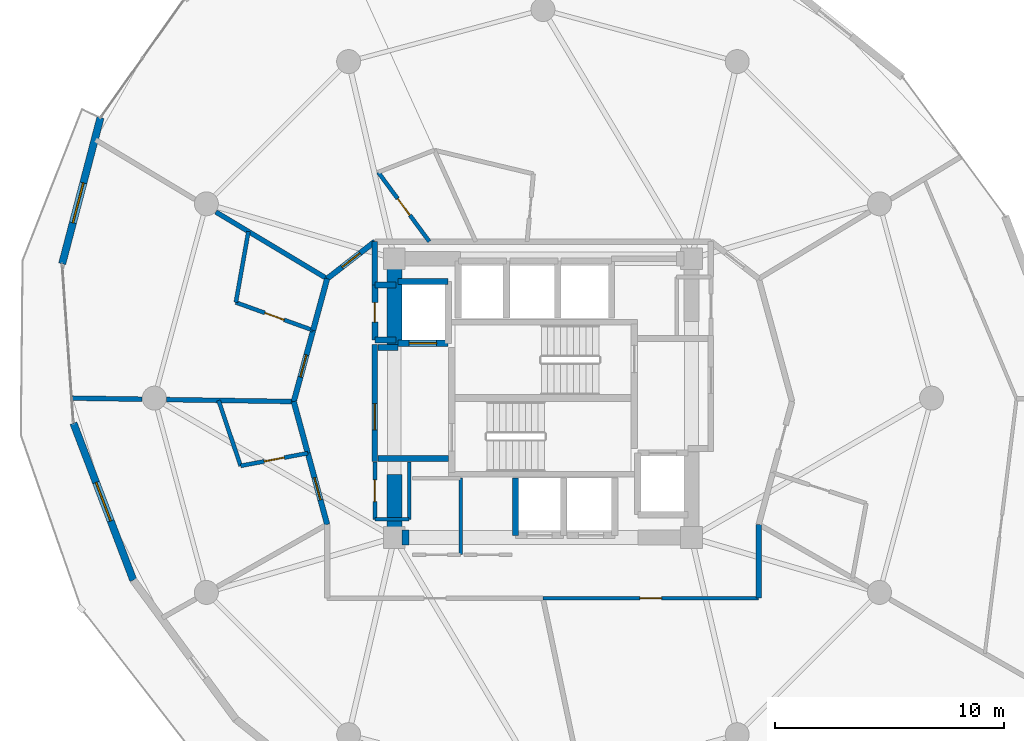
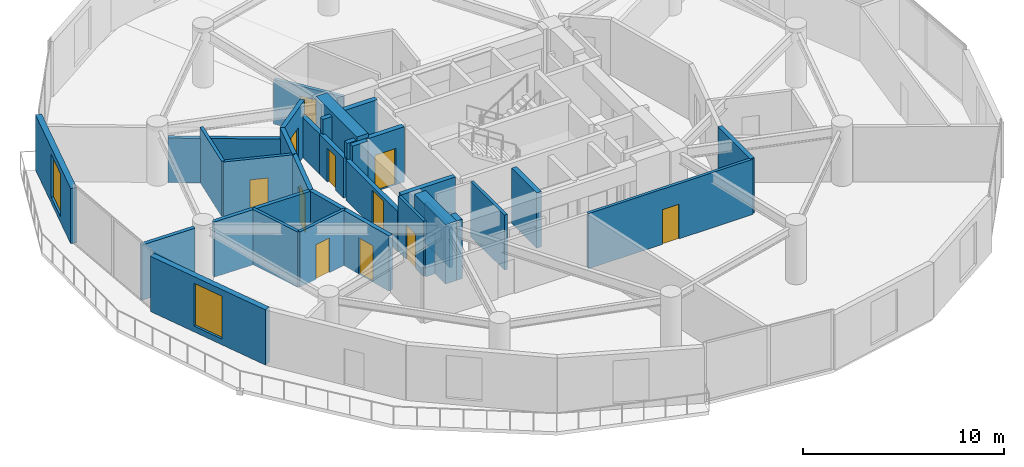
# One storey, part 18 of 22: 34 walls, 11 doors, 2 windows, 13 openings.
"""IFC4 building model written with IfcOpenShell, lengths in metres."""

import ifcopenshell
import ifcopenshell.guid

model = None  # the IFC model being written
_history = None  # IfcOwnerHistory: only IFC2X3 demands one
_inside = {}  # id of a spatial element -> (the spatial element, [elements in it])
_under = {}  # id of a project, library or spatial element -> (it, [spatial elements below it])
_declared = {}  # id of a project -> (the project, [libraries it declares])
_typed = {}  # id of a type object -> (the type object, [elements of that type])
_made_of = {}  # id of a material, layer set ... -> (it, [elements and type objects made of it])


def new_model(schema):
    """Start an empty IFC model of exactly this schema.

    Asked for "IFC4X3", IfcOpenShell would pick the latest addendum, in which some entities
    have other attributes; the version numbers below select the first issue.
    IFC2X3 requires an IfcOwnerHistory on every rooted entity: one is made here for all.
    """
    global model, _history
    if schema == "IFC4X3":
        model = ifcopenshell.file(schema_version=(4, 3, 0, 0))
    else:
        model = ifcopenshell.file(schema=schema)
    _inside.clear()
    _under.clear()
    _declared.clear()
    _typed.clear()
    _made_of.clear()
    _history = None
    if model.schema == "IFC2X3":
        org = make("IfcOrganization", Name="unknown")
        user = make(
            "IfcPersonAndOrganization",
            ThePerson=make("IfcPerson", FamilyName="unknown"),
            TheOrganization=org,
        )
        app = make(
            "IfcApplication",
            ApplicationDeveloper=org,
            Version="unknown",
            ApplicationFullName="unknown",
            ApplicationIdentifier="unknown",
        )
        _history = make(
            "IfcOwnerHistory",
            OwningUser=user,
            OwningApplication=app,
            ChangeAction="ADDED",
            CreationDate=0,
        )
    return model


def make(cls, **values):
    """One entity of the class cls with the attributes given. An attribute that is None is left unset."""
    return model.create_entity(
        cls, **{name: value for name, value in values.items() if value is not None}
    )


def rooted(cls, **values):
    """An entity with a GlobalId (a new one), such as an element, a storey or a relation."""
    return make(cls, GlobalId=ifcopenshell.guid.new(), OwnerHistory=_history, **values)


def si_unit(unit_type, name, prefix=None):
    """IfcSIUnit, for example si_unit("LENGTHUNIT", "METRE", prefix="MILLI")."""
    return make("IfcSIUnit", UnitType=unit_type, Prefix=prefix, Name=name)


def assignment(units):
    """IfcUnitAssignment: the units of a project."""
    return None if units is None else make("IfcUnitAssignment", Units=units)


def point(xyz):
    """IfcCartesianPoint."""
    return None if xyz is None else make("IfcCartesianPoint", Coordinates=xyz)


def direction(xyz):
    """IfcDirection."""
    return None if xyz is None else make("IfcDirection", DirectionRatios=xyz)


def frame(location, z_axis=None, x_axis=None):
    """IfcAxis2Placement3D, a coordinate frame: its origin and axes. An axis left out is left unset."""
    return make(
        "IfcAxis2Placement3D",
        Location=point(location),
        Axis=direction(z_axis),
        RefDirection=direction(x_axis),
    )


def frame_2d(location, x_axis=None):
    """IfcAxis2Placement2D, a coordinate frame in the plane: its origin and x axis."""
    return make(
        "IfcAxis2Placement2D", Location=point(location), RefDirection=direction(x_axis)
    )


def origin():
    """The frame at (0, 0, 0) with its axes left unset."""
    return frame((0.0, 0.0, 0.0))


def place(relative_to, where):
    """IfcLocalPlacement: puts the frame where relative to a parent placement (None: the world)."""
    return make(
        "IfcLocalPlacement", PlacementRelTo=relative_to, RelativePlacement=where
    )


def context(
    kind, dimensions, precision=None, world=None, true_north=None, identifier=None
):
    """IfcGeometricRepresentationContext, for example the 3D "Model" context."""
    return make(
        "IfcGeometricRepresentationContext",
        ContextIdentifier=identifier,
        ContextType=kind,
        CoordinateSpaceDimension=dimensions,
        Precision=precision,
        WorldCoordinateSystem=world,
        TrueNorth=true_north,
    )


def subcontext(parent, identifier, kind, view, scale=None):
    """IfcGeometricRepresentationSubContext, for example "Body" below "Model"."""
    return make(
        "IfcGeometricRepresentationSubContext",
        ContextIdentifier=identifier,
        ContextType=kind,
        ParentContext=parent,
        TargetScale=scale,
        TargetView=view,
    )


def project(units=None, contexts=None):
    """IfcProject with its units and contexts."""
    return rooted(
        "IfcProject",
        Name="project",
        RepresentationContexts=contexts,
        UnitsInContext=assignment(units),
    )


def spatial(cls, under=None, at=None, **own):
    """A site, building, storey or space (cls), placed at a placement, below another one or the project."""
    s = rooted(cls, ObjectPlacement=at, **own)
    if under is not None:
        _under.setdefault(under.id(), (under, []))[1].append(s)
    return s


def profile(cls, at=None, kind="AREA", **sizes):
    """A parametric profile (cls). Its sizes go by their IFC names, for example OverallWidth=200.0."""
    return make(cls, ProfileType=kind, Position=at, **sizes)


def rectangle(**sizes):
    """IfcRectangleProfileDef."""
    return profile("IfcRectangleProfileDef", **sizes)


def extrude(swept, where, along, depth):
    """IfcExtrudedAreaSolid: the profile swept, set in the frame where, extruded along a direction by depth."""
    return make(
        "IfcExtrudedAreaSolid",
        SweptArea=swept,
        Position=where,
        ExtrudedDirection=direction(along),
        Depth=depth,
    )


def shape(context_of_items, identifier, shape_type, items):
    """IfcShapeRepresentation: the items that make up one representation, for example the "Body"."""
    return make(
        "IfcShapeRepresentation",
        ContextOfItems=context_of_items,
        RepresentationIdentifier=identifier,
        RepresentationType=shape_type,
        Items=items,
    )


def material(Name=None, Category=None):
    """IfcMaterial."""
    return make("IfcMaterial", Name=Name, Category=Category)


def layer(
    of_material, thickness, ventilated=None, Name=None, Category=None, Priority=None
):
    """IfcMaterialLayer: one layer of a wall or slab, of a material (None: an air gap)."""
    return make(
        "IfcMaterialLayer",
        Material=of_material,
        LayerThickness=thickness,
        IsVentilated=ventilated,
        Name=Name,
        Category=Category,
        Priority=Priority,
    )


def layer_set(layers, Name=None):
    """IfcMaterialLayerSet."""
    return make("IfcMaterialLayerSet", MaterialLayers=layers, LayerSetName=Name)


def made_of(thing, what):
    """Note that an element or type object is made of a material, layer set ...; save() writes the relation."""
    if what is not None:
        _made_of.setdefault(what.id(), (what, []))[1].append(thing)
    return thing


def type_object(cls, material=None, **own):
    """A type object (cls), such as IfcWallType, which elements share."""
    return made_of(rooted(cls, **own), material)


def element(
    cls,
    number,
    at=None,
    inside=None,
    cuts=None,
    type_object=None,
    material=None,
    context=None,
    identifier="Body",
    shape_type=None,
    held_by="IfcProductDefinitionShape",
    body=None,
    shapes=None,
    **own,
):
    """One element of the class cls, such as IfcWall. Its Tag is "e" and its number.

    at: its placement. inside: the storey or other place that contains it. cuts: it is an
    opening in that element (IfcRelVoidsElement). A single representation is given by context,
    identifier, shape_type and body (its items); several are given by shapes. held_by: the class
    of the entity that holds the representations. save() writes the other relations.
    """
    e = rooted(cls, Tag="e%d" % number, ObjectPlacement=at, **own)
    if body is not None:
        shapes = [shape(context, identifier, shape_type, body)]
    if shapes is not None:
        e.Representation = make(held_by, Representations=shapes)
    if inside is not None:
        _inside.setdefault(inside.id(), (inside, []))[1].append(e)
    if cuts is not None:
        rooted(
            "IfcRelVoidsElement", RelatingBuildingElement=cuts, RelatedOpeningElement=e
        )
    if type_object is not None:
        _typed.setdefault(type_object.id(), (type_object, []))[1].append(e)
    return made_of(e, material)


def fill(opening, filler):
    """IfcRelFillsElement: the door or window that sits in an opening."""
    return rooted(
        "IfcRelFillsElement",
        RelatingOpeningElement=opening,
        RelatedBuildingElement=filler,
    )


def aggregate(whole, parts):
    """IfcRelAggregates: a whole, such as a stair, and the parts it consists of."""
    return rooted("IfcRelAggregates", RelatingObject=whole, RelatedObjects=parts)


def save(model, path):
    """Write the relations noted so far, then the file.

    IfcRelAggregates (storeys below a building ...), IfcRelContainedInSpatialStructure (elements
    in a storey), IfcRelDefinesByType, IfcRelAssociatesMaterial and IfcRelDeclares: one each for
    every whole, place, type object, material and project.
    """
    for whole, parts in _under.values():
        aggregate(whole, parts)
    for where, things in _inside.values():
        rooted(
            "IfcRelContainedInSpatialStructure",
            RelatedElements=things,
            RelatingStructure=where,
        )
    for kind, things in _typed.values():
        rooted("IfcRelDefinesByType", RelatedObjects=things, RelatingType=kind)
    for what, things in _made_of.values():
        rooted("IfcRelAssociatesMaterial", RelatedObjects=things, RelatingMaterial=what)
    for by, libraries in _declared.values():
        rooted("IfcRelDeclares", RelatingContext=by, RelatedDefinitions=libraries)
    model.write(path)


model = new_model("IFC4")

# Units and contexts
model_context = context("Model", 3, precision=1e-05, world=origin(), true_north=direction((0.0, 1.0)))
body_context = subcontext(model_context, "Body", "Model", "MODEL_VIEW")
ifc_project = project(units=[si_unit("LENGTHUNIT", "METRE"), si_unit("AREAUNIT", "SQUARE_METRE"), si_unit("VOLUMEUNIT", "CUBIC_METRE"), si_unit("PLANEANGLEUNIT", "RADIAN"), si_unit("MASSUNIT", "GRAM", prefix="KILO")], contexts=[model_context])

# Site, building, storey
site_placement = place(None, origin())
site = spatial("IfcSite", under=ifc_project, at=site_placement, CompositionType="ELEMENT")
building_placement = place(site_placement, origin())
building = spatial("IfcBuilding", under=site, at=building_placement, Name="Solvirekh Grand Hotel", CompositionType="ELEMENT")
storey_placement = place(building_placement, frame((0.0, 0.0, 149.39990234375)))
storey = spatial("IfcBuildingStorey", under=building, at=storey_placement, Name="L38", CompositionType="ELEMENT", Elevation=149.39990234375)

# Wall
ifc_material_1 = material(Name="Concrete C40/50", Category="concrete")
ifc_layer_1 = layer(ifc_material_1, 0.280029296875)
ifc_layer_set_1 = layer_set([ifc_layer_1], Name="Concrete C40/50")
wall_type_1 = type_object("IfcWallType", Name="CoreShaftWall_RC280", PredefinedType="SOLIDWALL", material=ifc_layer_set_1)
wall_1_placement = place(storey_placement, frame((-1.199951171875, -3.5, 0.0), z_axis=(0.0, 0.0, 1.0), x_axis=(0.0, -1.0, 0.0)))
element("IfcWall", 1, at=wall_1_placement, inside=storey, type_object=wall_type_1, Name="L38 MP-1 hoistway W wall", PredefinedType="SOLIDWALL", context=body_context, shape_type="SweptSolid", body=[
    extrude(rectangle(XDim=2.5, YDim=0.280029296875, at=frame_2d((1.25, 0.0))), origin(), (0.0, 0.0, 1.0), 3.35009765625),
])

# Wall, opening, door
wall_2_placement = place(storey_placement, frame((-6.35009765625, 2.39990234375, 0.0), z_axis=(0.0, 0.0, 1.0), x_axis=(1.0, 0.0, 0.0)))
wall_2 = element("IfcWall", 2, at=wall_2_placement, inside=storey, type_object=wall_type_1, Name="L38 FL-1 hoistway S wall", PredefinedType="SOLIDWALL", context=body_context, shape_type="SweptSolid", body=[
    extrude(rectangle(XDim=2.2001953125, YDim=0.280029296875, at=frame_2d((1.10009765625, 0.0))), origin(), (0.0, 0.0, 1.0), 3.35009765625),
])
opening_1_placement = place(wall_2_placement, frame((0.5, 0.0, 0.0)))
opening_1 = element("IfcOpeningElement", 3, at=opening_1_placement, cuts=wall_2, Name="Opening LD02", PredefinedType="OPENING", context=body_context, shape_type="SweptSolid", body=[
    extrude(rectangle(XDim=1.199951171875, YDim=2.199951171875, at=frame_2d((0.60009765625, 1.10009765625))), frame((0.0, 0.14990234375, 0.0), z_axis=(0.0, -1.0, 0.0), x_axis=(1.0, 0.0, 0.0)), (0.0, 0.0, 1.0), 0.300048828125),
])
ifc_material_2 = material(Name="Fire-Rated Steel Door Assembly", Category="steel")
door_type_1 = type_object("IfcDoorType", Name="Door_LiftFF_1200X2200", OperationType="SLIDING_TO_LEFT", PredefinedType="DOOR", material=ifc_material_2)
door_1_placement = place(opening_1_placement, origin())
door_1 = element("IfcDoor", 4, at=door_1_placement, inside=storey, type_object=door_type_1, Name="L38 FL-1 sliding lift landing door", OperationType="SLIDING_TO_LEFT", OverallHeight=2.199951171875, OverallWidth=1.199951171875, PredefinedType="DOOR", context=body_context, shape_type="SweptSolid", body=[
    extrude(rectangle(XDim=1.199951171875, YDim=2.199951171875, at=frame_2d((0.60009765625, 1.10009765625))), frame((0.0, 0.02490234375, 0.0), z_axis=(0.0, -1.0, 0.0), x_axis=(1.0, 0.0, 0.0)), (0.0, 0.0, 1.0), 0.050048828125),
])
fill(opening_1, door_1)

# Walls
wall_3_placement = place(storey_placement, frame((-4.14990234375, 5.10009765625, 0.0), z_axis=(0.0, 0.0, 1.0), x_axis=(-1.0, 0.0, 0.0)))
element("IfcWall", 5, at=wall_3_placement, inside=storey, type_object=wall_type_1, Name="L38 FL-1 hoistway N wall", PredefinedType="SOLIDWALL", context=body_context, shape_type="SweptSolid", body=[
    extrude(rectangle(XDim=2.2001953125, YDim=0.280029296875, at=frame_2d((1.10009765625, 0.0))), origin(), (0.0, 0.0, 1.0), 3.35009765625),
])
ifc_material_3 = material(Name="Concrete C50/60", Category="concrete")
ifc_layer_2 = layer(ifc_material_3, 0.64990234375)
ifc_layer_set_2 = layer_set([ifc_layer_2], Name="Concrete C50/60")
wall_type_2 = type_object("IfcWallType", Name="CoreWall_RC650", PredefinedType="SHEAR", material=ifc_layer_set_2)
wall_4_placement = place(storey_placement, frame((-6.175048828125, -6.10009765625, 0.0), z_axis=(0.0, 0.0, 1.0), x_axis=(1.0, 0.0, 0.0)))
element("IfcWall", 6, at=wall_4_placement, inside=storey, type_object=wall_type_2, Name="L38 core corner shear wall SW-S", PredefinedType="SHEAR", context=body_context, shape_type="SweptSolid", body=[
    extrude(rectangle(XDim=0.324951171875, YDim=0.64990234375, at=frame_2d((0.16259765625, 0.0))), origin(), (0.0, 0.0, 1.0), 3.60009765625),
])
wall_5_placement = place(storey_placement, frame((-6.5, 2.35009765625, 0.0), z_axis=(0.0, 0.0, 1.0), x_axis=(0.0, 1.0, 0.0)))
element("IfcWall", 7, at=wall_5_placement, inside=storey, type_object=wall_type_2, Name="L38 core corner shear wall WN-W", PredefinedType="SHEAR", context=body_context, shape_type="SweptSolid", body=[
    extrude(rectangle(XDim=4.074951171875, YDim=0.64990234375, at=frame_2d((2.03759765625, 0.0))), origin(), (0.0, 0.0, 1.0), 3.60009765625),
])
wall_6_placement = place(storey_placement, frame((-6.5, -6.425048828125, 0.0), z_axis=(0.0, 0.0, 1.0), x_axis=(0.0, 1.0, 0.0)))
element("IfcWall", 8, at=wall_6_placement, inside=storey, type_object=wall_type_2, Name="L38 core corner shear wall WS-W", PredefinedType="SHEAR", context=body_context, shape_type="SweptSolid", body=[
    extrude(rectangle(XDim=3.074951171875, YDim=0.64990234375, at=frame_2d((1.53759765625, 0.0))), origin(), (0.0, 0.0, 1.0), 3.60009765625),
])

# Wall, opening, window
ifc_material_4 = material(Name="Precast concrete C45/55", Category="concrete")
ifc_layer_3 = layer(ifc_material_4, 0.320068359375)
ifc_layer_set_3 = layer_set([ifc_layer_3], Name="Precast concrete C45/55")
wall_type_3 = type_object("IfcWallType", Name="ExtLobbyWall_RC320", PredefinedType="SOLIDWALL", material=ifc_layer_set_3)
wall_7_placement = place(storey_placement, frame((-21.031982421875, 5.875, 0.0), z_axis=(0.0, 0.0, 1.0), x_axis=(0.253586412891, 0.967312737018, 0.0)))
wall_7 = element("IfcWall", 9, at=wall_7_placement, inside=storey, type_object=wall_type_3, Name="L38 exterior structural wall chord 12", PredefinedType="SOLIDWALL", context=body_context, shape_type="SweptSolid", body=[
    extrude(rectangle(XDim=6.613037109375, YDim=0.320068359375, at=frame_2d((3.306640625, 0.0))), origin(), (0.0, 0.0, 1.0), 3.35009765625),
])
opening_2_placement = place(wall_7_placement, frame((1.85888671875, 0.0, 0.35009765625)))
opening_2 = element("IfcOpeningElement", 10, at=opening_2_placement, cuts=wall_7, Name="Opening W02", PredefinedType="OPENING", context=body_context, shape_type="SweptSolid", body=[
    extrude(rectangle(XDim=1.800048828125, YDim=2.60009765625, at=frame_2d((0.89990234375, 1.300048828125))), frame((0.0, 0.169921875, 0.0), z_axis=(0.0, -1.0, 0.0), x_axis=(1.0, 0.0, 0.0)), (0.0, 0.0, 1.0), 0.340087890625),
])
ifc_material_5 = material(Name="Low-E Tinted Bronze Laminated Glass", Category="aluminium")
window_type = type_object("IfcWindowType", Name="Win_LobbyExt_1800X2600", PartitioningType="SINGLE_PANEL", PredefinedType="WINDOW", material=ifc_material_5)
window_1_placement = place(opening_2_placement, origin())
window_1 = element("IfcWindow", 11, at=window_1_placement, inside=storey, type_object=window_type, Name="L38 panoramic bronze-framed window 12", OverallHeight=2.60009765625, OverallWidth=1.800048828125, PartitioningType="SINGLE_PANEL", PredefinedType="WINDOW", context=body_context, shape_type="SweptSolid", body=[
    extrude(rectangle(XDim=1.800048828125, YDim=2.60009765625, at=frame_2d((0.89990234375, 1.300048828125))), frame((0.0, 0.030029296875, 0.0), z_axis=(0.0, -1.0, 0.0), x_axis=(1.0, 0.0, 0.0)), (0.0, 0.0, 1.0), 0.06005859375),
])
fill(opening_2, window_1)

wall_8_placement = place(storey_placement, frame((-17.919921875, -7.9609375, 0.0), z_axis=(0.0, 0.0, 1.0), x_axis=(-0.356387771418, 0.93433813814, 0.0)))
wall_8 = element("IfcWall", 12, at=wall_8_placement, inside=storey, type_object=wall_type_3, Name="L38 exterior structural wall chord 14", PredefinedType="SOLIDWALL", context=body_context, shape_type="SweptSolid", body=[
    extrude(rectangle(XDim=7.346435546875, YDim=0.320068359375, at=frame_2d((3.67333984375, 0.0))), origin(), (0.0, 0.0, 1.0), 3.35009765625),
])
opening_3_placement = place(wall_8_placement, frame((2.77294921875, 0.0, 0.35009765625)))
opening_3 = element("IfcOpeningElement", 13, at=opening_3_placement, cuts=wall_8, Name="Opening W02", PredefinedType="OPENING", context=body_context, shape_type="SweptSolid", body=[
    extrude(rectangle(XDim=1.800048828125, YDim=2.60009765625, at=frame_2d((0.89990234375, 1.300048828125))), frame((0.0, 0.169921875, 0.0), z_axis=(0.0, -1.0, 0.0), x_axis=(1.0, 0.0, 0.0)), (0.0, 0.0, 1.0), 0.340087890625),
])
window_2_placement = place(opening_3_placement, origin())
window_2 = element("IfcWindow", 14, at=window_2_placement, inside=storey, type_object=window_type, Name="L38 panoramic bronze-framed window 14", OverallHeight=2.60009765625, OverallWidth=1.800048828125, PartitioningType="SINGLE_PANEL", PredefinedType="WINDOW", context=body_context, shape_type="SweptSolid", body=[
    extrude(rectangle(XDim=1.800048828125, YDim=2.60009765625, at=frame_2d((0.89990234375, 1.300048828125))), frame((0.0, 0.030029296875, 0.0), z_axis=(0.0, -1.0, 0.0), x_axis=(1.0, 0.0, 0.0)), (0.0, 0.0, 1.0), 0.06005859375),
])
fill(opening_3, window_2)

# Walls
ifc_material_6 = material(Name="Acoustic Gypsum Partition Assembly")
ifc_layer_4 = layer(ifc_material_6, 0.1650390625)
ifc_layer_set_4 = layer_set([ifc_layer_4], Name="Acoustic Gypsum Partition Assembly")
wall_type_4 = type_object("IfcWallType", Name="Part_BOH_165", PredefinedType="PARTITIONING", material=ifc_layer_set_4)
wall_9_placement = place(storey_placement, frame((-7.35009765625, -5.300048828125, 0.0), z_axis=(0.0, 0.0, 1.0), x_axis=(1.0, 0.0, 0.0)))
element("IfcWall", 15, at=wall_9_placement, inside=storey, type_object=wall_type_4, Name="L38 L38 Core Linen Store wall 1", PredefinedType="PARTITIONING", context=body_context, shape_type="SweptSolid", body=[
    extrude(rectangle(XDim=1.5, YDim=0.1650390625, at=frame_2d((0.75, 0.0))), origin(), (0.0, 0.0, 1.0), 2.43505859375),
])
wall_10_placement = place(storey_placement, frame((-5.85009765625, -5.300048828125, 0.0), z_axis=(0.0, 0.0, 1.0), x_axis=(0.0, 1.0, 0.0)))
element("IfcWall", 16, at=wall_10_placement, inside=storey, type_object=wall_type_4, Name="L38 L38 Core Linen Store wall 2", PredefinedType="PARTITIONING", context=body_context, shape_type="SweptSolid", body=[
    extrude(rectangle(XDim=2.5, YDim=0.1650390625, at=frame_2d((1.25, 0.0))), origin(), (0.0, 0.0, 1.0), 2.43505859375),
])

# Wall, opening, door
wall_11_placement = place(storey_placement, frame((-7.35009765625, -2.800048828125, 0.0), z_axis=(0.0, 0.0, 1.0), x_axis=(0.0, -1.0, 0.0)))
wall_11 = element("IfcWall", 17, at=wall_11_placement, inside=storey, type_object=wall_type_4, Name="L38 L38 Core Linen Store wall 4", PredefinedType="PARTITIONING", context=body_context, shape_type="SweptSolid", body=[
    extrude(rectangle(XDim=2.5, YDim=0.1650390625, at=frame_2d((1.25, 0.0))), origin(), (0.0, 0.0, 1.0), 3.35009765625),
])
opening_4_placement = place(wall_11_placement, frame((0.77490234375, 0.0, 0.0)))
opening_4 = element("IfcOpeningElement", 18, at=opening_4_placement, cuts=wall_11, Name="Opening D10", PredefinedType="OPENING", context=body_context, shape_type="SweptSolid", body=[
    extrude(rectangle(XDim=0.949951171875, YDim=2.10009765625, at=frame_2d((0.47509765625, 1.050048828125))), frame((0.0, 0.092529296875, 0.0), z_axis=(0.0, -1.0, 0.0), x_axis=(1.0, 0.0, 0.0)), (0.0, 0.0, 1.0), 0.18505859375),
])
ifc_material_7 = material(Name="Anodized Bronze Aluminium 6063-T6", Category="aluminium")
door_type_2 = type_object("IfcDoorType", Name="Door_RoomInt_950X2100", OperationType="NOTDEFINED", PredefinedType="DOOR", material=ifc_material_7)
door_2_placement = place(opening_4_placement, origin())
door_2 = element("IfcDoor", 19, at=door_2_placement, inside=storey, type_object=door_type_2, Name="L38 L38 Core Linen Store door", OperationType="SINGLE_SWING_LEFT", OverallHeight=2.10009765625, OverallWidth=0.949951171875, PredefinedType="DOOR", context=body_context, shape_type="SweptSolid", body=[
    extrude(rectangle(XDim=0.949951171875, YDim=2.10009765625, at=frame_2d((0.47509765625, 1.050048828125))), frame((0.0, 0.02490234375, 0.0), z_axis=(0.0, -1.0, 0.0), x_axis=(1.0, 0.0, 0.0)), (0.0, 0.0, 1.0), 0.050048828125),
])
fill(opening_4, door_2)

# Wall
wall_12_placement = place(storey_placement, frame((-3.60009765625, -6.85009765625, 0.0), z_axis=(0.0, 0.0, 1.0), x_axis=(0.0, 1.0, 0.0)))
element("IfcWall", 20, at=wall_12_placement, inside=storey, type_object=wall_type_4, Name="L38 Mid-Zone Housekeeping Store wall 2", PredefinedType="PARTITIONING", context=body_context, shape_type="SweptSolid", body=[
    extrude(rectangle(XDim=3.35009765625, YDim=0.1650390625, at=frame_2d((1.675048828125, 0.0))), origin(), (0.0, 0.0, 1.0), 3.35009765625),
])

# Wall, opening, door
wall_13_placement = place(storey_placement, frame((0.0, -8.75, 0.0), z_axis=(0.0, 0.0, 1.0), x_axis=(1.0, 0.0, 0.0)))
wall_13 = element("IfcWall", 21, at=wall_13_placement, inside=storey, type_object=wall_type_4, Name="L38 L38 Butler Valet & Linen Steward Room entrance wall", PredefinedType="PARTITIONING", context=body_context, shape_type="SweptSolid", body=[
    extrude(rectangle(XDim=9.43994140625, YDim=0.1650390625, at=frame_2d((4.719970703125, 0.0))), origin(), (0.0, 0.0, 1.0), 3.35009765625),
])
opening_5_placement = place(wall_13_placement, frame((4.2451171875, 0.0, 0.0)))
opening_5 = element("IfcOpeningElement", 22, at=opening_5_placement, cuts=wall_13, Name="Opening D10", PredefinedType="OPENING", context=body_context, shape_type="SweptSolid", body=[
    extrude(rectangle(XDim=0.949951171875, YDim=2.10009765625, at=frame_2d((0.47509765625, 1.050048828125))), frame((0.0, 0.092529296875, 0.0), z_axis=(0.0, -1.0, 0.0), x_axis=(1.0, 0.0, 0.0)), (0.0, 0.0, 1.0), 0.18505859375),
])
door_3_placement = place(opening_5_placement, origin())
door_3 = element("IfcDoor", 23, at=door_3_placement, inside=storey, type_object=door_type_2, Name="L38 L38 Butler Valet & Linen Steward Room entrance door", OperationType="SINGLE_SWING_RIGHT", OverallHeight=2.10009765625, OverallWidth=0.949951171875, PredefinedType="DOOR", context=body_context, shape_type="SweptSolid", body=[
    extrude(rectangle(XDim=0.949951171875, YDim=2.10009765625, at=frame_2d((0.47509765625, 1.050048828125))), frame((0.0, 0.02490234375, 0.0), z_axis=(0.0, -1.0, 0.0), x_axis=(1.0, 0.0, 0.0)), (0.0, 0.0, 1.0), 0.050048828125),
])
fill(opening_5, door_3)

ifc_layer_5 = layer(ifc_material_6, 0.239990234375)
ifc_layer_set_5 = layer_set([ifc_layer_5], Name="Acoustic Gypsum Partition Assembly")
wall_type_5 = type_object("IfcWallType", Name="Part_Corridor_240", PredefinedType="PARTITIONING", material=ifc_layer_set_5)
wall_14_placement = place(storey_placement, frame((-7.35009765625, -2.780029296875, 0.0), z_axis=(0.0, 0.0, 1.0), x_axis=(0.0, 1.0, 0.0)))
wall_14 = element("IfcWall", 24, at=wall_14_placement, inside=storey, type_object=wall_type_5, Name="L38 west firefighting lobby smoke screen wall", PredefinedType="PARTITIONING", context=body_context, shape_type="SweptSolid", body=[
    extrude(rectangle(XDim=5.1201171875, YDim=0.239990234375, at=frame_2d((2.56005859375, 0.0))), origin(), (0.0, 0.0, 1.0), 2.43505859375),
])
opening_6_placement = place(wall_14_placement, frame((1.388916015625, 0.0, 0.0)))
opening_6 = element("IfcOpeningElement", 25, at=opening_6_placement, cuts=wall_14, Name="Opening D06", PredefinedType="OPENING", context=body_context, shape_type="SweptSolid", body=[
    extrude(rectangle(XDim=1.14990234375, YDim=2.199951171875, at=frame_2d((0.574951171875, 1.10009765625))), frame((0.0, 0.1298828125, 0.0), z_axis=(0.0, -1.0, 0.0), x_axis=(1.0, 0.0, 0.0)), (0.0, 0.0, 1.0), 0.260009765625),
])
door_type_3 = type_object("IfcDoorType", Name="Door_FFLobby_1150X2200", OperationType="NOTDEFINED", PredefinedType="DOOR", material=ifc_material_2)
door_4_placement = place(opening_6_placement, origin())
door_4 = element("IfcDoor", 26, at=door_4_placement, inside=storey, type_object=door_type_3, Name="L38 west firefighting lobby smoke door", OperationType="SINGLE_SWING_RIGHT", OverallHeight=2.199951171875, OverallWidth=1.14990234375, PredefinedType="DOOR", context=body_context, shape_type="SweptSolid", body=[
    extrude(rectangle(XDim=1.14990234375, YDim=2.199951171875, at=frame_2d((0.574951171875, 1.10009765625))), frame((0.0, 0.02490234375, 0.0), z_axis=(0.0, -1.0, 0.0), x_axis=(1.0, 0.0, 0.0)), (0.0, 0.0, 1.0), 0.050048828125),
])
fill(opening_6, door_4)

# Wall
wall_15_placement = place(storey_placement, frame((-7.35009765625, 4.949951171875, 0.0), z_axis=(0.0, 0.0, 1.0), x_axis=(0.0, 1.0, 0.0)))
element("IfcWall", 27, at=wall_15_placement, inside=storey, type_object=wall_type_5, Name="L38 NW core cheek closure wall", PredefinedType="PARTITIONING", context=body_context, shape_type="SweptSolid", body=[
    extrude(rectangle(XDim=1.900146484375, YDim=0.239990234375, at=frame_2d((0.9501953125, 0.0))), origin(), (0.0, 0.0, 1.0), 2.43505859375),
])

# Wall, opening, door
wall_16_placement = place(storey_placement, frame((-9.43994140625, 5.22509765625, 0.0), z_axis=(0.0, 0.0, 1.0), x_axis=(0.789431664708, 0.613838453306, 0.0)))
wall_16 = element("IfcWall", 28, at=wall_16_placement, inside=storey, type_object=wall_type_5, Name="L38 Deluxe Guestroom 4002 entrance wall", PredefinedType="PARTITIONING", context=body_context, shape_type="SweptSolid", body=[
    extrude(rectangle(XDim=2.647216796875, YDim=0.239990234375, at=frame_2d((1.32373046875, 0.0))), origin(), (0.0, 0.0, 1.0), 3.35009765625),
])
opening_7_placement = place(wall_16_placement, frame((0.823974609375, 0.0, 0.0)))
opening_7 = element("IfcOpeningElement", 29, at=opening_7_placement, cuts=wall_16, Name="Opening D07", PredefinedType="OPENING", context=body_context, shape_type="SweptSolid", body=[
    extrude(rectangle(XDim=1.0, YDim=2.199951171875, at=frame_2d((0.5, 1.10009765625))), frame((0.0, 0.1298828125, 0.0), z_axis=(0.0, -1.0, 0.0), x_axis=(1.0, 0.0, 0.0)), (0.0, 0.0, 1.0), 0.260009765625),
])
door_type_4 = type_object("IfcDoorType", Name="Door_GuestEntry_1000X2200", OperationType="NOTDEFINED", PredefinedType="DOOR", material=ifc_material_2)
door_5_placement = place(opening_7_placement, origin())
door_5 = element("IfcDoor", 30, at=door_5_placement, inside=storey, type_object=door_type_4, Name="L38 Deluxe Guestroom 4002 entrance door", OperationType="SINGLE_SWING_RIGHT", OverallHeight=2.199951171875, OverallWidth=1.0, PredefinedType="DOOR", context=body_context, shape_type="SweptSolid", body=[
    extrude(rectangle(XDim=1.0, YDim=2.199951171875, at=frame_2d((0.5, 1.10009765625))), frame((0.0, 0.02490234375, 0.0), z_axis=(0.0, -1.0, 0.0), x_axis=(1.0, 0.0, 0.0)), (0.0, 0.0, 1.0), 0.050048828125),
])
fill(opening_7, door_5)

# Wall
wall_17_placement = place(storey_placement, frame((-9.43994140625, 5.22509765625, 0.0), z_axis=(0.0, 0.0, 1.0), x_axis=(-0.262004776073, -0.965066576623, 0.0)))
element("IfcWall", 31, at=wall_17_placement, inside=storey, type_object=wall_type_5, Name="L38 En-suite Bathroom 4003 corridor backing wall", PredefinedType="PARTITIONING", context=body_context, shape_type="SweptSolid", body=[
    extrude(rectangle(XDim=2.33984375, YDim=0.239990234375, at=frame_2d((1.169921875, 0.0))), origin(), (0.0, 0.0, 1.0), 3.35009765625),
])

# Wall, opening, door
wall_18_placement = place(storey_placement, frame((-10.052978515625, 2.967041015625, 0.0), z_axis=(0.0, 0.0, 1.0), x_axis=(-0.262209089996, -0.965011084456, 0.0)))
wall_18 = element("IfcWall", 32, at=wall_18_placement, inside=storey, type_object=wall_type_5, Name="L38 Deluxe Guestroom 4003 entrance wall", PredefinedType="PARTITIONING", context=body_context, shape_type="SweptSolid", body=[
    extrude(rectangle(XDim=3.22998046875, YDim=0.239990234375, at=frame_2d((1.614990234375, 0.0))), origin(), (0.0, 0.0, 1.0), 3.35009765625),
])
opening_8_placement = place(wall_18_placement, frame((1.114990234375, 0.0, 0.0)))
opening_8 = element("IfcOpeningElement", 33, at=opening_8_placement, cuts=wall_18, Name="Opening D07", PredefinedType="OPENING", context=body_context, shape_type="SweptSolid", body=[
    extrude(rectangle(XDim=1.0, YDim=2.199951171875, at=frame_2d((0.5, 1.10009765625))), frame((0.0, 0.1298828125, 0.0), z_axis=(0.0, -1.0, 0.0), x_axis=(1.0, 0.0, 0.0)), (0.0, 0.0, 1.0), 0.260009765625),
])
door_6_placement = place(opening_8_placement, origin())
door_6 = element("IfcDoor", 34, at=door_6_placement, inside=storey, type_object=door_type_4, Name="L38 Deluxe Guestroom 4003 entrance door", OperationType="SINGLE_SWING_RIGHT", OverallHeight=2.199951171875, OverallWidth=1.0, PredefinedType="DOOR", context=body_context, shape_type="SweptSolid", body=[
    extrude(rectangle(XDim=1.0, YDim=2.199951171875, at=frame_2d((0.5, 1.10009765625))), frame((0.0, 0.02490234375, 0.0), z_axis=(0.0, -1.0, 0.0), x_axis=(1.0, 0.0, 0.0)), (0.0, 0.0, 1.0), 0.050048828125),
])
fill(opening_8, door_6)

# Wall
wall_19_placement = place(storey_placement, frame((-10.89990234375, -0.14990234375, 0.0), z_axis=(0.0, 0.0, 1.0), x_axis=(0.262013132791, -0.965064307829, 0.0)))
element("IfcWall", 35, at=wall_19_placement, inside=storey, type_object=wall_type_5, Name="L38 En-suite Bathroom 4004 corridor backing wall", PredefinedType="PARTITIONING", context=body_context, shape_type="SweptSolid", body=[
    extrude(rectangle(XDim=2.3388671875, YDim=0.239990234375, at=frame_2d((1.16943359375, 0.0))), origin(), (0.0, 0.0, 1.0), 3.35009765625),
])

# Wall, opening, door
wall_20_placement = place(storey_placement, frame((-10.287109375, -2.406982421875, 0.0), z_axis=(0.0, 0.0, 1.0), x_axis=(0.262202977539, -0.965012745289, 0.0)))
wall_20 = element("IfcWall", 36, at=wall_20_placement, inside=storey, type_object=wall_type_5, Name="L38 Deluxe Guestroom 4004 entrance wall", PredefinedType="PARTITIONING", context=body_context, shape_type="SweptSolid", body=[
    extrude(rectangle(XDim=3.23095703125, YDim=0.239990234375, at=frame_2d((1.615478515625, 0.0))), origin(), (0.0, 0.0, 1.0), 3.35009765625),
])
opening_9_placement = place(wall_20_placement, frame((1.114990234375, 0.0, 0.0)))
opening_9 = element("IfcOpeningElement", 37, at=opening_9_placement, cuts=wall_20, Name="Opening D07", PredefinedType="OPENING", context=body_context, shape_type="SweptSolid", body=[
    extrude(rectangle(XDim=1.0, YDim=2.199951171875, at=frame_2d((0.5, 1.10009765625))), frame((0.0, 0.1298828125, 0.0), z_axis=(0.0, -1.0, 0.0), x_axis=(1.0, 0.0, 0.0)), (0.0, 0.0, 1.0), 0.260009765625),
])
door_7_placement = place(opening_9_placement, origin())
door_7 = element("IfcDoor", 38, at=door_7_placement, inside=storey, type_object=door_type_4, Name="L38 Deluxe Guestroom 4004 entrance door", OperationType="SINGLE_SWING_RIGHT", OverallHeight=2.199951171875, OverallWidth=1.0, PredefinedType="DOOR", context=body_context, shape_type="SweptSolid", body=[
    extrude(rectangle(XDim=1.0, YDim=2.199951171875, at=frame_2d((0.5, 1.10009765625))), frame((0.0, 0.02490234375, 0.0), z_axis=(0.0, -1.0, 0.0), x_axis=(1.0, 0.0, 0.0)), (0.0, 0.0, 1.0), 0.050048828125),
])
fill(opening_9, door_7)

# Walls
wall_21_placement = place(storey_placement, frame((9.43994140625, -8.75, 0.0), z_axis=(0.0, 0.0, 1.0), x_axis=(0.0, 1.0, 0.0)))
element("IfcWall", 39, at=wall_21_placement, inside=storey, type_object=wall_type_5, Name="L38 L38 Butler Valet & Linen Steward Room corridor wall 1", PredefinedType="PARTITIONING", context=body_context, shape_type="SweptSolid", body=[
    extrude(rectangle(XDim=3.22509765625, YDim=0.239990234375, at=frame_2d((1.612548828125, 0.0))), origin(), (0.0, 0.0, 1.0), 3.35009765625),
])
ifc_layer_6 = layer(ifc_material_6, 0.260009765625)
ifc_layer_set_6 = layer_set([ifc_layer_6], Name="Acoustic Gypsum Partition Assembly")
wall_type_6 = type_object("IfcWallType", Name="Part_LobbyFF_260", PredefinedType="PARTITIONING", material=ifc_layer_set_6)
wall_22_placement = place(storey_placement, frame((-7.22509765625, -2.64990234375, 0.0), z_axis=(0.0, 0.0, 1.0), x_axis=(1.0, 0.0, 0.0)))
element("IfcWall", 40, at=wall_22_placement, inside=storey, type_object=wall_type_6, Name="L38 west firefighting lobby south partition", PredefinedType="PARTITIONING", context=body_context, shape_type="SweptSolid", body=[
    extrude(rectangle(XDim=3.09521484375, YDim=0.260009765625, at=frame_2d((1.547607421875, 0.0))), origin(), (0.0, 0.0, 1.0), 3.35009765625),
])
wall_23_placement = place(storey_placement, frame((-7.22509765625, 2.2099609375, 0.0), z_axis=(0.0, 0.0, 1.0), x_axis=(1.0, 0.0, 0.0)))
element("IfcWall", 41, at=wall_23_placement, inside=storey, type_object=wall_type_6, Name="L38 west firefighting lobby NW cheek", PredefinedType="PARTITIONING", context=body_context, shape_type="SweptSolid", body=[
    extrude(rectangle(XDim=0.875, YDim=0.260009765625, at=frame_2d((0.4375, 0.0))), origin(), (0.0, 0.0, 1.0), 3.35009765625),
])
for number, where, z_axis, x_axis, name in (
    (42, (-7.35009765625, 4.949951171875, 0.0), (0.0, 0.0, 1.0), (1.0, 0.0, 0.0), "L38 NW telecom metering cupboard north wall"),
    (43, (-7.35009765625, 2.550048828125, 0.0), (0.0, 0.0, 1.0), (1.0, 0.0, 0.0), "L38 NW telecom metering cupboard south wall"),
):
    element("IfcWall", number, at=place(storey_placement, frame(where, z_axis=z_axis, x_axis=x_axis)), inside=storey, type_object=wall_type_6, Name=name, PredefinedType="PARTITIONING", context=body_context, shape_type="SweptSolid", body=[
        extrude(rectangle(XDim=0.93017578125, YDim=0.260009765625, at=frame_2d((0.465087890625, 0.0))), origin(), (0.0, 0.0, 1.0), 3.35009765625),
    ])

# Wall, opening, door
wall_24_placement = place(storey_placement, frame((-7.35009765625, 2.550048828125, 0.0), z_axis=(0.0, 0.0, 1.0), x_axis=(0.0, 1.0, 0.0)))
wall_24 = element("IfcWall", 44, at=wall_24_placement, inside=storey, type_object=wall_type_6, Name="L38 NW telecom metering cupboard access wall", PredefinedType="PARTITIONING", context=body_context, shape_type="SweptSolid", body=[
    extrude(rectangle(XDim=2.39990234375, YDim=0.260009765625, at=frame_2d((1.199951171875, 0.0))), origin(), (0.0, 0.0, 1.0), 2.43505859375),
])
opening_10_placement = place(wall_24_placement, frame((0.77490234375, 0.0, 0.0)))
opening_10 = element("IfcOpeningElement", 45, at=opening_10_placement, cuts=wall_24, Name="Opening D13", PredefinedType="OPENING", context=body_context, shape_type="SweptSolid", body=[
    extrude(rectangle(XDim=0.85009765625, YDim=2.050048828125, at=frame_2d((0.425048828125, 1.02490234375))), frame((0.0, 0.14013671875, 0.0), z_axis=(0.0, -1.0, 0.0), x_axis=(1.0, 0.0, 0.0)), (0.0, 0.0, 1.0), 0.280029296875),
])
door_type_5 = type_object("IfcDoorType", Name="Door_RiserShaft_850X2050", OperationType="NOTDEFINED", PredefinedType="DOOR", material=ifc_material_2)
door_8_placement = place(opening_10_placement, origin())
door_8 = element("IfcDoor", 46, at=door_8_placement, inside=storey, type_object=door_type_5, Name="L38 telecom metering cupboard access door", OperationType="SINGLE_SWING_RIGHT", OverallHeight=2.050048828125, OverallWidth=0.85009765625, PredefinedType="DOOR", context=body_context, shape_type="SweptSolid", body=[
    extrude(rectangle(XDim=0.85009765625, YDim=2.050048828125, at=frame_2d((0.425048828125, 1.02490234375))), frame((0.0, 0.02490234375, 0.0), z_axis=(0.0, -1.0, 0.0), x_axis=(1.0, 0.0, 0.0)), (0.0, 0.0, 1.0), 0.050048828125),
])
fill(opening_10, door_8)

# Walls
ifc_layer_7 = layer(ifc_material_6, 0.2099609375)
ifc_layer_set_7 = layer_set([ifc_layer_7], Name="Acoustic Gypsum Partition Assembly")
wall_type_7 = type_object("IfcWallType", Name="Part_SuiteDemise_210", PredefinedType="PARTITIONING", material=ifc_layer_set_7)
wall_25_placement = place(storey_placement, frame((-9.43994140625, 5.22509765625, 0.0), z_axis=(0.0, 0.0, 1.0), x_axis=(-0.857690179355, 0.514166856417, 0.0)))
element("IfcWall", 47, at=wall_25_placement, inside=storey, type_object=wall_type_7, Name="L38 suite radial wall 6 (A)", PredefinedType="PARTITIONING", context=body_context, shape_type="SweptSolid", body=[
    extrude(rectangle(XDim=5.677001953125, YDim=0.2099609375, at=frame_2d((2.83837890625, 0.0))), origin(), (0.0, 0.0, 1.0), 2.717041015625),
])
wall_26_placement = place(storey_placement, frame((-10.89990234375, -0.14990234375, 0.0), z_axis=(0.0, 0.0, 1.0), x_axis=(-0.999880532043, 0.01545709035, 0.0)))
element("IfcWall", 48, at=wall_26_placement, inside=storey, type_object=wall_type_7, Name="L38 suite radial wall 7 (A)", PredefinedType="PARTITIONING", context=body_context, shape_type="SweptSolid", body=[
    extrude(rectangle(XDim=5.559814453125, YDim=0.2099609375, at=frame_2d((2.77978515625, 0.0))), origin(), (0.0, 0.0, 1.0), 3.35009765625),
])
wall_27_placement = place(storey_placement, frame((-17.54296875, -0.047119140625, 0.0), z_axis=(0.0, 0.0, 1.0), x_axis=(-0.999879342855, 0.015533825418, 0.0)))
element("IfcWall", 49, at=wall_27_placement, inside=storey, type_object=wall_type_7, Name="L38 suite radial wall 7 (B)", PredefinedType="PARTITIONING", context=body_context, shape_type="SweptSolid", body=[
    extrude(rectangle(XDim=3.033203125, YDim=0.2099609375, at=frame_2d((1.5166015625, 0.0))), origin(), (0.0, 0.0, 1.0), 3.35009765625),
])

# Wall, opening, door
ifc_layer_8 = layer(ifc_material_6, 0.175048828125)
ifc_layer_set_8 = layer_set([ifc_layer_8], Name="Acoustic Gypsum Partition Assembly")
wall_type_8 = type_object("IfcWallType", Name="Plumb_Ensuite_175", PredefinedType="PLUMBINGWALL", material=ifc_layer_set_8)
wall_28_placement = place(storey_placement, frame((-7.20703125, 9.883056640625, 0.0), z_axis=(0.0, 0.0, 1.0), x_axis=(0.593753460512, -0.804647020829, 0.0)))
wall_28 = element("IfcWall", 50, at=wall_28_placement, inside=storey, type_object=wall_type_8, Name="L38 En-suite Bathroom 4002 entry plumbing wall", PredefinedType="PLUMBINGWALL", context=body_context, shape_type="SweptSolid", body=[
    extrude(rectangle(XDim=3.769287109375, YDim=0.175048828125, at=frame_2d((1.884765625, 0.0))), origin(), (0.0, 0.0, 1.0), 2.717041015625),
])
opening_11_placement = place(wall_28_placement, frame((1.43505859375, 0.0, 0.0)))
opening_11 = element("IfcOpeningElement", 51, at=opening_11_placement, cuts=wall_28, Name="Opening D09", PredefinedType="OPENING", context=body_context, shape_type="SweptSolid", body=[
    extrude(rectangle(XDim=0.89990234375, YDim=2.10009765625, at=frame_2d((0.449951171875, 1.050048828125))), frame((0.0, 0.09765625, 0.0), z_axis=(0.0, -1.0, 0.0), x_axis=(1.0, 0.0, 0.0)), (0.0, 0.0, 1.0), 0.195068359375),
])
door_type_6 = type_object("IfcDoorType", Name="Door_Ensuite_900X2100", OperationType="NOTDEFINED", PredefinedType="DOOR", material=ifc_material_7)
door_9_placement = place(opening_11_placement, origin())
door_9 = element("IfcDoor", 52, at=door_9_placement, inside=storey, type_object=door_type_6, Name="L38 En-suite Bathroom 4002 door", OperationType="SINGLE_SWING_LEFT", OverallHeight=2.10009765625, OverallWidth=0.89990234375, PredefinedType="DOOR", context=body_context, shape_type="SweptSolid", body=[
    extrude(rectangle(XDim=0.89990234375, YDim=2.10009765625, at=frame_2d((0.449951171875, 1.050048828125))), frame((0.0, 0.02490234375, 0.0), z_axis=(0.0, -1.0, 0.0), x_axis=(1.0, 0.0, 0.0)), (0.0, 0.0, 1.0), 0.050048828125),
])
fill(opening_11, door_9)

# Wall
wall_29_placement = place(storey_placement, frame((-12.884033203125, 7.2900390625, 0.0), z_axis=(0.0, 0.0, 1.0), x_axis=(-0.174187389085, -0.984712523269, 0.0)))
element("IfcWall", 53, at=wall_29_placement, inside=storey, type_object=wall_type_8, Name="L38 En-suite Bathroom 4003 outer plumbing wall", PredefinedType="PLUMBINGWALL", context=body_context, shape_type="SweptSolid", body=[
    extrude(rectangle(XDim=3.152099609375, YDim=0.175048828125, at=frame_2d((1.576171875, 0.0))), origin(), (0.0, 0.0, 1.0), 3.35009765625),
])

# Wall, opening, door
wall_30_placement = place(storey_placement, frame((-10.052978515625, 2.967041015625, 0.0), z_axis=(0.0, 0.0, 1.0), x_axis=(-0.940696709382, 0.339248730223, 0.0)))
wall_30 = element("IfcWall", 54, at=wall_30_placement, inside=storey, type_object=wall_type_8, Name="L38 En-suite Bathroom 4003 entry plumbing wall", PredefinedType="PLUMBINGWALL", context=body_context, shape_type="SweptSolid", body=[
    extrude(rectangle(XDim=3.59326171875, YDim=0.175048828125, at=frame_2d((1.796630859375, 0.0))), origin(), (0.0, 0.0, 1.0), 3.35009765625),
])
opening_12_placement = place(wall_30_placement, frame((1.346923828125, 0.0, 0.0)))
opening_12 = element("IfcOpeningElement", 55, at=opening_12_placement, cuts=wall_30, Name="Opening D09", PredefinedType="OPENING", context=body_context, shape_type="SweptSolid", body=[
    extrude(rectangle(XDim=0.89990234375, YDim=2.10009765625, at=frame_2d((0.449951171875, 1.050048828125))), frame((0.0, 0.09765625, 0.0), z_axis=(0.0, -1.0, 0.0), x_axis=(1.0, 0.0, 0.0)), (0.0, 0.0, 1.0), 0.195068359375),
])
door_10_placement = place(opening_12_placement, origin())
door_10 = element("IfcDoor", 56, at=door_10_placement, inside=storey, type_object=door_type_6, Name="L38 En-suite Bathroom 4003 door", OperationType="SINGLE_SWING_LEFT", OverallHeight=2.10009765625, OverallWidth=0.89990234375, PredefinedType="DOOR", context=body_context, shape_type="SweptSolid", body=[
    extrude(rectangle(XDim=0.89990234375, YDim=2.10009765625, at=frame_2d((0.449951171875, 1.050048828125))), frame((0.0, 0.02490234375, 0.0), z_axis=(0.0, -1.0, 0.0), x_axis=(1.0, 0.0, 0.0)), (0.0, 0.0, 1.0), 0.050048828125),
])
fill(opening_12, door_10)

# Wall
wall_31_placement = place(storey_placement, frame((-14.18994140625, -0.09912109375, 0.0), z_axis=(0.0, 0.0, 1.0), x_axis=(0.319377775225, -0.947627477806, 0.0)))
element("IfcWall", 57, at=wall_31_placement, inside=storey, type_object=wall_type_8, Name="L38 En-suite Bathroom 4004 outer plumbing wall", PredefinedType="PLUMBINGWALL", context=body_context, shape_type="SweptSolid", body=[
    extrude(rectangle(XDim=3.02099609375, YDim=0.175048828125, at=frame_2d((1.510498046875, 0.0))), origin(), (0.0, 0.0, 1.0), 3.35009765625),
])

# Wall, opening, door
wall_32_placement = place(storey_placement, frame((-10.287109375, -2.406982421875, 0.0), z_axis=(0.0, 0.0, 1.0), x_axis=(-0.982625425388, -0.185599766653, 0.0)))
wall_32 = element("IfcWall", 58, at=wall_32_placement, inside=storey, type_object=wall_type_8, Name="L38 En-suite Bathroom 4004 entry plumbing wall", PredefinedType="PLUMBINGWALL", context=body_context, shape_type="SweptSolid", body=[
    extrude(rectangle(XDim=2.989990234375, YDim=0.175048828125, at=frame_2d((1.4951171875, 0.0))), origin(), (0.0, 0.0, 1.0), 3.35009765625),
])
opening_13_placement = place(wall_32_placement, frame((1.044921875, 0.0, 0.0)))
opening_13 = element("IfcOpeningElement", 59, at=opening_13_placement, cuts=wall_32, Name="Opening D09", PredefinedType="OPENING", context=body_context, shape_type="SweptSolid", body=[
    extrude(rectangle(XDim=0.89990234375, YDim=2.10009765625, at=frame_2d((0.449951171875, 1.050048828125))), frame((0.0, 0.09765625, 0.0), z_axis=(0.0, -1.0, 0.0), x_axis=(1.0, 0.0, 0.0)), (0.0, 0.0, 1.0), 0.195068359375),
])
door_11_placement = place(opening_13_placement, origin())
door_11 = element("IfcDoor", 60, at=door_11_placement, inside=storey, type_object=door_type_6, Name="L38 En-suite Bathroom 4004 door", OperationType="SINGLE_SWING_LEFT", OverallHeight=2.10009765625, OverallWidth=0.89990234375, PredefinedType="DOOR", context=body_context, shape_type="SweptSolid", body=[
    extrude(rectangle(XDim=0.89990234375, YDim=2.10009765625, at=frame_2d((0.449951171875, 1.050048828125))), frame((0.0, 0.02490234375, 0.0), z_axis=(0.0, -1.0, 0.0), x_axis=(1.0, 0.0, 0.0)), (0.0, 0.0, 1.0), 0.050048828125),
])
fill(opening_13, door_11)

save(model, "model.ifc")
